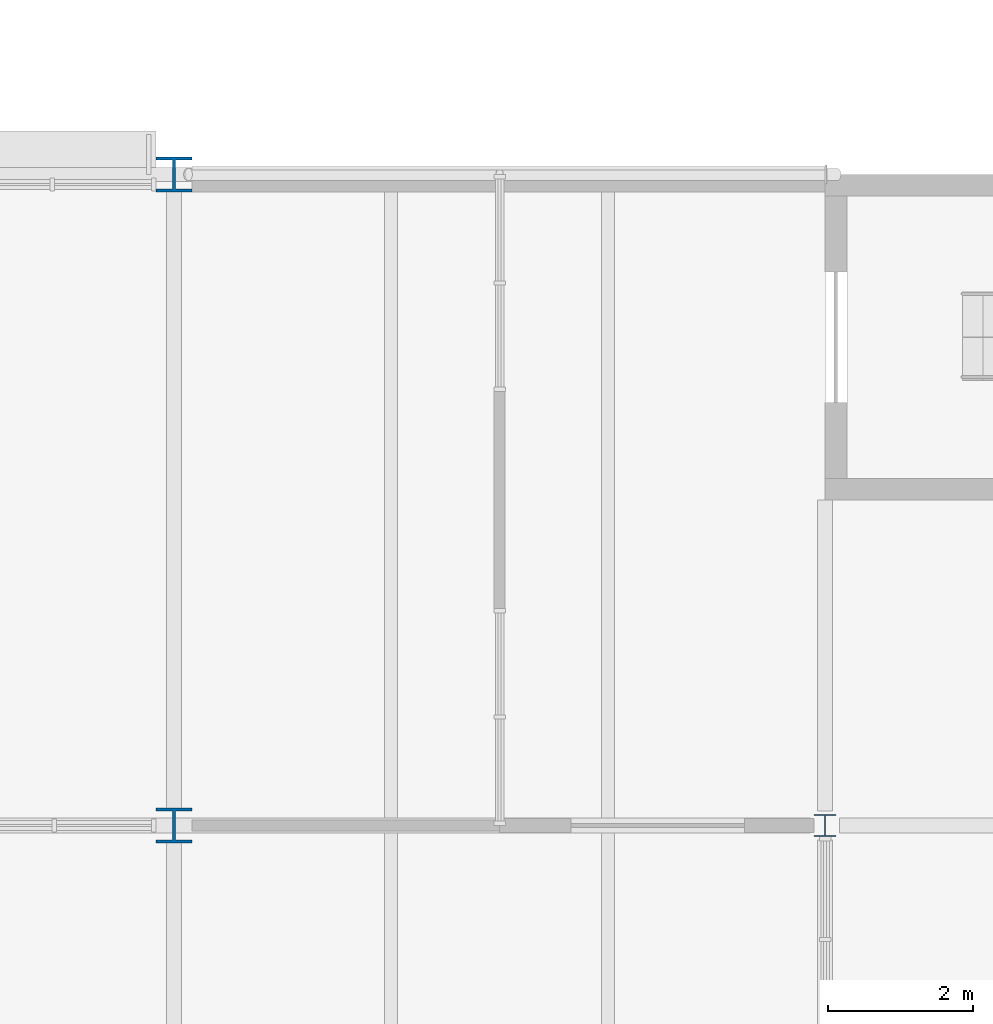
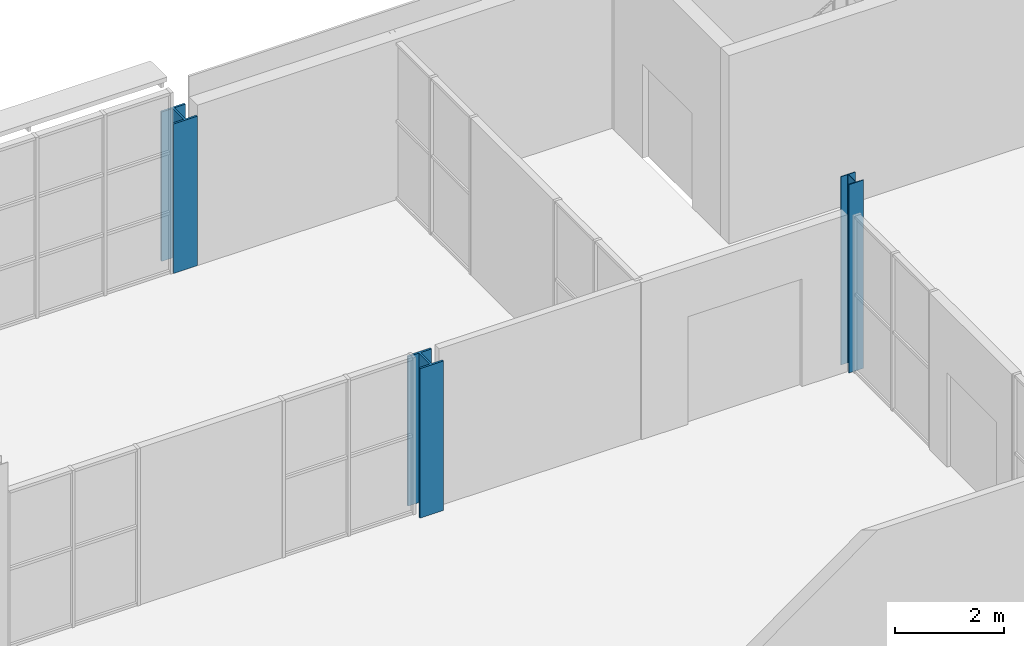
# One storey, part 4 of 61: 3 columns.
"""IFC4 building model written with IfcOpenShell, lengths in metres."""

from ifc_helpers import new_model, si_unit, direction, frame, origin, origin_2d, place, context, subcontext, project, spatial, i_section, extrude, material, material_profile, profile_set, type_object, element, save


model = new_model("IFC4")

# Units and contexts
model_context = context("Model", 3, precision=1e-05, world=origin(), true_north=direction((0.0, 1.0)))
body_context = subcontext(model_context, "Body", "Model", "MODEL_VIEW")
ifc_project = project(units=[si_unit("LENGTHUNIT", "METRE"), si_unit("AREAUNIT", "SQUARE_METRE"), si_unit("VOLUMEUNIT", "CUBIC_METRE"), si_unit("PLANEANGLEUNIT", "RADIAN"), si_unit("MASSUNIT", "GRAM", prefix="KILO")], contexts=[model_context])

# Site, building, storey
site_placement = place(None, origin())
site = spatial("IfcSite", under=ifc_project, at=site_placement, CompositionType="ELEMENT")
building_placement = place(site_placement, origin())
building = spatial("IfcBuilding", under=site, at=building_placement, Name="Halyard Row Museum", CompositionType="ELEMENT")
storey_placement = place(building_placement, frame((0.0, 0.0, 9.199951171875)))
storey = spatial("IfcBuildingStorey", under=building, at=storey_placement, Name="L02", CompositionType="ELEMENT", Elevation=9.199951171875)

# Columns
ifc_material_1 = material(Name="Steel Grade 300", Category="steel")
ifc_material_profile_1 = material_profile(ifc_material_1, i_section(OverallWidth=0.304931640625, OverallDepth=0.30810546875, WebThickness=0.010009765625, FlangeThickness=0.015380859375, FilletRadius=0.0166015625, at=origin_2d()), Name="310UC96.8")
ifc_profile_set_1 = profile_set([ifc_material_profile_1], Name="Steel Grade 300")
column_type_1 = type_object("IfcColumnType", Name="Column 310UC96.8 interior", PredefinedType="COLUMN", material=ifc_profile_set_1)
column_placement = place(storey_placement, frame((63.0, 36.0, 0.0), z_axis=(0.0, 0.0, 1.0), x_axis=(1.0, 0.0, 0.0)))
element("IfcColumn", 1, at=column_placement, inside=storey, type_object=column_type_1, Name="Column 8E L02", PredefinedType="COLUMN", context=body_context, shape_type="SweptSolid", body=[
    extrude(i_section(OverallWidth=0.304931640625, OverallDepth=0.30810546875, WebThickness=0.010009765625, FlangeThickness=0.015380859375, FilletRadius=0.0166015625, at=origin_2d()), origin(), (0.0, 0.0, 1.0), 4.199951171875),
])
ifc_material_2 = material(Name="Steel Grade 300", Category="steel")
ifc_material_profile_2 = material_profile(ifc_material_2, i_section(OverallWidth=0.5, OverallDepth=0.47998046875, WebThickness=0.0400390625, FlangeThickness=0.0400390625, at=origin_2d()), Name="500WC440")
ifc_profile_set_2 = profile_set([ifc_material_profile_2], Name="Steel Grade 300")
column_type_2 = type_object("IfcColumnType", Name="Column 500WC440 truss", PredefinedType="COLUMN", material=ifc_profile_set_2)
for number, where, z_axis, x_axis, name in (
    (2, (54.0, 36.0, 0.0), (0.0, 0.0, 1.0), (1.0, 0.0, 0.0), "Column 7E L02"),
    (3, (54.0, 45.0, 0.0), (0.0, 0.0, 1.0), (1.0, 0.0, 0.0), "Column 7F L02"),
):
    element("IfcColumn", number, at=place(storey_placement, frame(where, z_axis=z_axis, x_axis=x_axis)), inside=storey, type_object=column_type_2, Name=name, PredefinedType="COLUMN", context=body_context, shape_type="SweptSolid", body=[
        extrude(i_section(OverallWidth=0.5, OverallDepth=0.47998046875, WebThickness=0.0400390625, FlangeThickness=0.0400390625, at=origin_2d()), origin(), (0.0, 0.0, 1.0), 3.3349609375),
    ])

save(model, "model.ifc")
